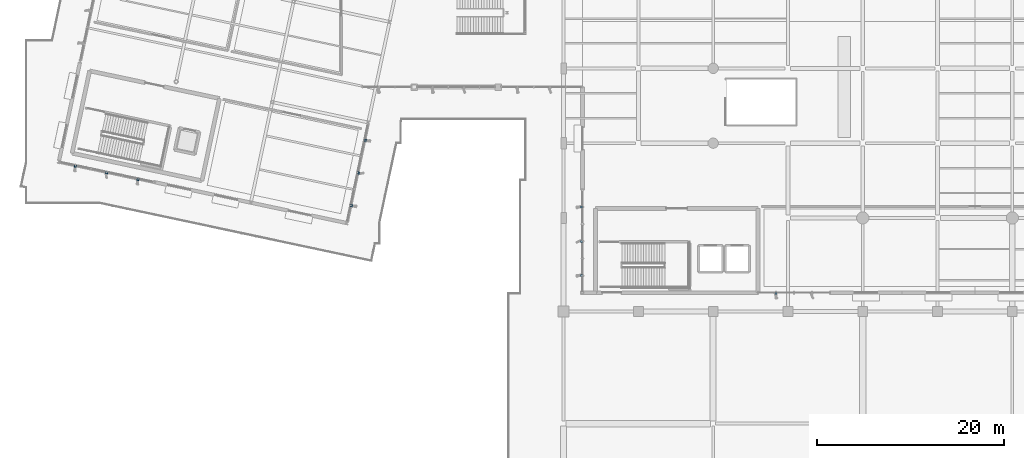
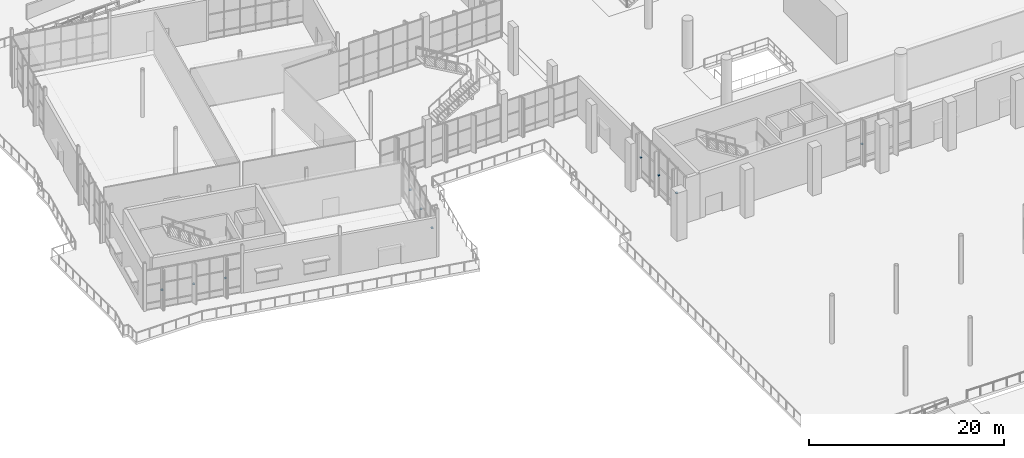
# One storey, part 134 of 163: 10 discrete accessories.
"""IFC4 building model written with IfcOpenShell, lengths in metres."""

from ifc_helpers import new_model, si_unit, direction, frame, origin, origin_2d, place, context, subcontext, project, spatial, rectangle, extrude, material, type_object, element, save


model = new_model("IFC4")

# Units and contexts
model_context = context("Model", 3, precision=1e-05, world=origin(), true_north=direction((0.0, 1.0)))
body_context = subcontext(model_context, "Body", "Model", "MODEL_VIEW")
ifc_project = project(units=[si_unit("LENGTHUNIT", "METRE"), si_unit("AREAUNIT", "SQUARE_METRE"), si_unit("VOLUMEUNIT", "CUBIC_METRE"), si_unit("PLANEANGLEUNIT", "RADIAN"), si_unit("MASSUNIT", "GRAM", prefix="KILO")], contexts=[model_context])

# Site, building, storey
site_placement = place(None, origin())
site = spatial("IfcSite", under=ifc_project, at=site_placement, CompositionType="ELEMENT")
building_placement = place(site_placement, origin())
building = spatial("IfcBuilding", under=site, at=building_placement, Name="Khorjan Park Terminus", CompositionType="ELEMENT")
storey_placement = place(building_placement, origin())
storey = spatial("IfcBuildingStorey", under=building, at=storey_placement, Name="L00", CompositionType="ELEMENT", Elevation=0.0)

# Discrete accessories
ifc_material = material(Name="Steel S355", Category="steel")
discrete_accessory_type = type_object("IfcDiscreteAccessoryType", Name="ACC-BRK-FIN", PredefinedType="BRACKET", material=ifc_material)
for number, where, z_axis, x_axis, name in (
    (1, (70.725, 27.91, 2.459), (0.0, 0.0, 1.0), (1.0, 0.0, 0.0), "Solar fin structural bracket BK-01 (CW-V2-S-L00-02-1)"),
    (2, (49.91, 37.1667, 2.459), (0.0, 0.0, 1.0), (0.0, -1.0, 0.0), "Solar fin structural bracket BK-01 (CW-V2-W-L00-01-1)"),
    (3, (49.91, 33.5, 2.459), (0.0, 0.0, 1.0), (0.0, -1.0, 0.0), "Solar fin structural bracket BK-01 (CW-V2-W-L00-01-3)"),
    (4, (49.91, 29.8333, 2.459), (0.0, 0.0, 1.0), (0.0, -1.0, 0.0), "Solar fin structural bracket BK-01 (CW-V2-W-L00-01-5)"),
    (5, (-4.2204, 41.5298, 2.1913), (0.0, 0.0, 1.0), (0.978147146591, -0.207913827382, 0.0), "Solar fin structural bracket BK-01 (CW-V4-S-L00-B01-1)"),
    (6, (-0.8783, 40.8194, 2.1913), (0.0, 0.0, 1.0), (0.978147146591, -0.207913827382, 0.0), "Solar fin structural bracket BK-01 (CW-V4-S-L00-B01-3)"),
    (7, (2.4638, 40.109, 2.1913), (0.0, 0.0, 1.0), (0.978147146591, -0.207913827382, 0.0), "Solar fin structural bracket BK-01 (CW-V4-S-L00-B01-5)"),
    (8, (25.2989, 37.3103, 2.1688), (0.0, 0.0, 1.0), (0.207916776669, 0.978146519689, 0.0), "Solar fin structural bracket BK-01 (CW-V4-E-L00-B01-1)"),
    (9, (26.0431, 40.8119, 2.1688), (0.0, 0.0, 1.0), (0.207916776669, 0.978146519689, 0.0), "Solar fin structural bracket BK-01 (CW-V4-E-L00-B01-3)"),
    (10, (26.7874, 44.3134, 2.1688), (0.0, 0.0, 1.0), (0.207916776669, 0.978146519689, 0.0), "Solar fin structural bracket BK-01 (CW-V4-E-L00-B01-5)"),
):
    element("IfcDiscreteAccessory", number, at=place(storey_placement, frame(where, z_axis=z_axis, x_axis=x_axis)), inside=storey, type_object=discrete_accessory_type, Name=name, PredefinedType="BRACKET", context=body_context, shape_type="SweptSolid", body=[
        extrude(rectangle(XDim=0.22, YDim=0.22, at=origin_2d()), origin(), (0.0, 0.0, 1.0), 0.14),
    ])

save(model, "model.ifc")
